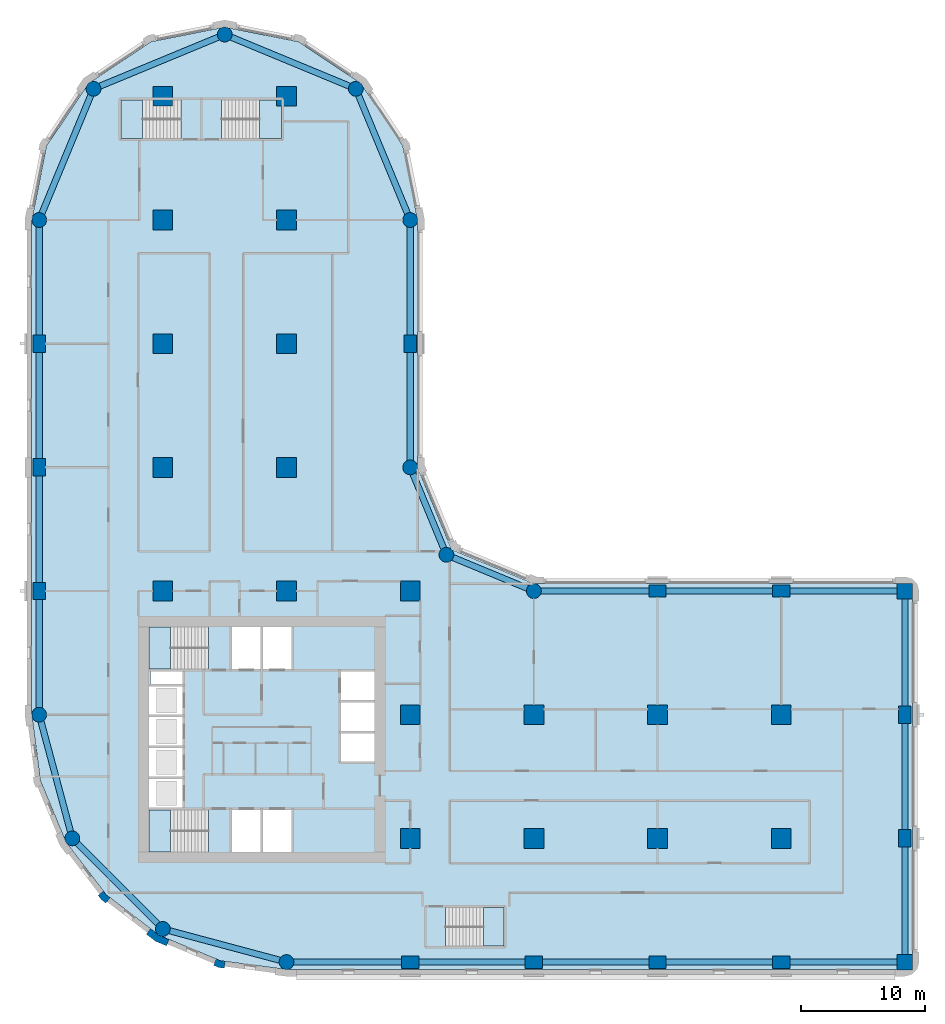
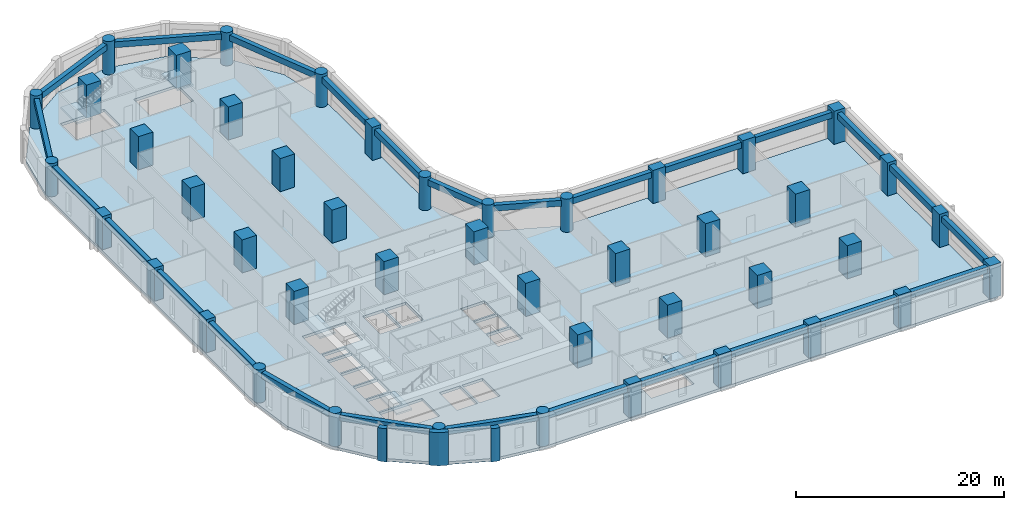
# One storey, part 1 of 10: 45 columns, 26 beams, 6 slabs, 3 walls, 5 elements without a shape of their own.
"""IFC4 building model written with IfcOpenShell, lengths in metres."""

from ifc_helpers import new_model, si_unit, direction, frame, origin, origin_2d, place, context, subcontext, project, spatial, polyline, rectangle, circle, outline, extrude, material, layer, layer_set, material_profile, profile_set, type_object, element, aggregate, save


model = new_model("IFC4")

# Units and contexts
model_context = context("Model", 3, precision=1e-05, world=origin(), true_north=direction((0.0, 1.0)))
body_context = subcontext(model_context, "Body", "Model", "MODEL_VIEW")
ifc_project = project(units=[si_unit("LENGTHUNIT", "METRE"), si_unit("AREAUNIT", "SQUARE_METRE"), si_unit("VOLUMEUNIT", "CUBIC_METRE"), si_unit("PLANEANGLEUNIT", "RADIAN"), si_unit("MASSUNIT", "GRAM", prefix="KILO")], contexts=[model_context])

# Site, building, storey
site_placement = place(None, origin())
site = spatial("IfcSite", under=ifc_project, at=site_placement, CompositionType="ELEMENT")
building_placement = place(site_placement, origin())
building = spatial("IfcBuilding", under=site, at=building_placement, Name="Qaws Garden Tower", CompositionType="ELEMENT")
storey_placement = place(building_placement, frame((0.0, 0.0, 70.5)))
storey = spatial("IfcBuildingStorey", under=building, at=storey_placement, Name="L17", CompositionType="ELEMENT", Elevation=70.5)

# Columns
ifc_material_1 = material(Name="Concrete C80", Category="concrete")
ifc_material_profile_1 = material_profile(ifc_material_1, rectangle(XDim=1.25, YDim=1.25, at=origin_2d()), Name="RC 1250x1250")
ifc_profile_set_1 = profile_set([ifc_material_profile_1], Name="Concrete C80")
column_type_1 = type_object("IfcColumnType", Name="Column RC 1250x1250 C80", PredefinedType="COLUMN", material=ifc_profile_set_1)
for number, where, z_axis, x_axis, name in (
    (1, (70.0, 0.0, 0.0), (0.0, 0.0, 1.0), (1.0, 0.0, 0.0), "Column L17-006"),
    (2, (70.0, 30.0, 0.0), (0.0, 0.0, 1.0), (1.0, 0.0, 0.0), "Column L17-009"),
):
    element("IfcColumn", number, at=place(storey_placement, frame(where, z_axis=z_axis, x_axis=x_axis)), inside=storey, type_object=column_type_1, Name=name, PredefinedType="COLUMN", context=body_context, shape_type="SweptSolid", body=[
        extrude(rectangle(XDim=1.25, YDim=1.25, at=origin_2d()), origin(), (0.0, 0.0, 1.0), 3.89990234375),
    ])
ifc_material_2 = material(Name="Concrete C80", Category="concrete")
ifc_material_profile_2 = material_profile(ifc_material_2, rectangle(XDim=1.39990234375, YDim=1.0, at=origin_2d()), Name="RC 1400x1000")
ifc_profile_set_2 = profile_set([ifc_material_profile_2], Name="Concrete C80")
column_type_2 = type_object("IfcColumnType", Name="Column RC 1400x1000 C80", PredefinedType="COLUMN", material=ifc_profile_set_2)
for number, where, z_axis, x_axis, name in (
    (3, (30.0, 0.0, 0.0), (0.0, 0.0, 1.0), (1.0, 0.0, 0.0), "Column L17-002"),
    (4, (40.0, 0.0, 0.0), (0.0, 0.0, 1.0), (1.0, 0.0, 0.0), "Column L17-003"),
    (5, (50.0, 0.0, 0.0), (0.0, 0.0, 1.0), (1.0, 0.0, 0.0), "Column L17-004"),
    (6, (60.0, 0.0, 0.0), (0.0, 0.0, 1.0), (1.0, 0.0, 0.0), "Column L17-005"),
    (7, (70.0, 10.0, 0.0), (0.0, 0.0, 1.0), (0.0, 1.0, 0.0), "Column L17-007"),
    (8, (70.0, 20.0, 0.0), (0.0, 0.0, 1.0), (0.0, 1.0, 0.0), "Column L17-008"),
    (9, (60.0, 30.0, 0.0), (0.0, 0.0, 1.0), (1.0, 0.0, 0.0), "Column L17-010"),
    (10, (50.0, 30.0, 0.0), (0.0, 0.0, 1.0), (1.0, 0.0, 0.0), "Column L17-011"),
    (11, (30.0, 50.0, 0.0), (0.0, 0.0, 1.0), (0.0, 1.0, 0.0), "Column L17-015"),
    (12, (0.0, 50.0, 0.0), (0.0, 0.0, 1.0), (0.0, 1.0, 0.0), "Column L17-021"),
    (13, (0.0, 40.0, 0.0), (0.0, 0.0, 1.0), (0.0, 1.0, 0.0), "Column L17-022"),
    (14, (0.0, 30.0, 0.0), (0.0, 0.0, 1.0), (0.0, 1.0, 0.0), "Column L17-023"),
):
    element("IfcColumn", number, at=place(storey_placement, frame(where, z_axis=z_axis, x_axis=x_axis)), inside=storey, type_object=column_type_2, Name=name, PredefinedType="COLUMN", context=body_context, shape_type="SweptSolid", body=[
        extrude(rectangle(XDim=1.39990234375, YDim=1.0, at=origin_2d()), origin(), (0.0, 0.0, 1.0), 3.89990234375),
    ])
ifc_material_3 = material(Name="Concrete C80", Category="concrete")
ifc_material_profile_3 = material_profile(ifc_material_3, rectangle(XDim=1.60009765625, YDim=1.60009765625, at=origin_2d()), Name="RC 1600x1600")
ifc_profile_set_3 = profile_set([ifc_material_profile_3], Name="Concrete C80")
column_type_3 = type_object("IfcColumnType", Name="Column RC 1600x1600 C80", PredefinedType="COLUMN", material=ifc_profile_set_3)
for number, where, z_axis, x_axis, name in (
    (15, (10.0, 30.0, 0.0), (0.0, 0.0, 1.0), (1.0, 0.0, 0.0), "Column L17-027"),
    (16, (10.0, 40.0, 0.0), (0.0, 0.0, 1.0), (1.0, 0.0, 0.0), "Column L17-028"),
    (17, (10.0, 50.0, 0.0), (0.0, 0.0, 1.0), (1.0, 0.0, 0.0), "Column L17-029"),
    (18, (10.0, 60.0, 0.0), (0.0, 0.0, 1.0), (1.0, 0.0, 0.0), "Column L17-030"),
    (19, (10.0, 70.0, 0.0), (0.0, 0.0, 1.0), (1.0, 0.0, 0.0), "Column L17-031"),
    (20, (20.0, 30.0, 0.0), (0.0, 0.0, 1.0), (1.0, 0.0, 0.0), "Column L17-032"),
    (21, (20.0, 40.0, 0.0), (0.0, 0.0, 1.0), (1.0, 0.0, 0.0), "Column L17-033"),
    (22, (20.0, 50.0, 0.0), (0.0, 0.0, 1.0), (1.0, 0.0, 0.0), "Column L17-034"),
    (23, (20.0, 60.0, 0.0), (0.0, 0.0, 1.0), (1.0, 0.0, 0.0), "Column L17-035"),
    (24, (20.0, 70.0, 0.0), (0.0, 0.0, 1.0), (1.0, 0.0, 0.0), "Column L17-036"),
    (25, (30.0, 10.0, 0.0), (0.0, 0.0, 1.0), (1.0, 0.0, 0.0), "Column L17-037"),
    (26, (30.0, 20.0, 0.0), (0.0, 0.0, 1.0), (1.0, 0.0, 0.0), "Column L17-038"),
    (27, (30.0, 30.0, 0.0), (0.0, 0.0, 1.0), (1.0, 0.0, 0.0), "Column L17-039"),
    (28, (40.0, 10.0, 0.0), (0.0, 0.0, 1.0), (1.0, 0.0, 0.0), "Column L17-040"),
    (29, (40.0, 20.0, 0.0), (0.0, 0.0, 1.0), (1.0, 0.0, 0.0), "Column L17-041"),
    (30, (50.0, 10.0, 0.0), (0.0, 0.0, 1.0), (1.0, 0.0, 0.0), "Column L17-042"),
    (31, (50.0, 20.0, 0.0), (0.0, 0.0, 1.0), (1.0, 0.0, 0.0), "Column L17-043"),
    (32, (60.0, 10.0, 0.0), (0.0, 0.0, 1.0), (1.0, 0.0, 0.0), "Column L17-044"),
    (33, (60.0, 20.0, 0.0), (0.0, 0.0, 1.0), (1.0, 0.0, 0.0), "Column L17-045"),
):
    element("IfcColumn", number, at=place(storey_placement, frame(where, z_axis=z_axis, x_axis=x_axis)), inside=storey, type_object=column_type_3, Name=name, PredefinedType="COLUMN", context=body_context, shape_type="SweptSolid", body=[
        extrude(rectangle(XDim=1.60009765625, YDim=1.60009765625, at=origin_2d()), origin(), (0.0, 0.0, 1.0), 3.89990234375),
    ])
ifc_material_4 = material(Name="Concrete C80", Category="concrete")
ifc_material_profile_4 = material_profile(ifc_material_4, circle(Radius=0.60009765625, at=origin_2d()), Name="RC D1200")
ifc_profile_set_4 = profile_set([ifc_material_profile_4], Name="Concrete C80")
column_type_4 = type_object("IfcColumnType", Name="Column RC D1200 C80", PredefinedType="COLUMN", material=ifc_profile_set_4)
for number, where, z_axis, x_axis, name in (
    (34, (20.0, 0.0, 0.0), (0.0, 0.0, 1.0), (1.0, 0.0, 0.0), "Column L17-001"),
    (35, (40.0, 30.0, 0.0), (0.0, 0.0, 1.0), (1.0, 0.0, 0.0), "Column L17-012"),
    (36, (32.928955078125, 32.928955078125, 0.0), (0.0, 0.0, 1.0), (1.0, 0.0, 0.0), "Column L17-013"),
    (37, (30.0, 40.0, 0.0), (0.0, 0.0, 1.0), (1.0, 0.0, 0.0), "Column L17-014"),
    (38, (30.0, 60.0, 0.0), (0.0, 0.0, 1.0), (1.0, 0.0, 0.0), "Column L17-016"),
    (39, (25.606689453125, 70.606689453125, 0.0), (0.0, 0.0, 1.0), (1.0, 0.0, 0.0), "Column L17-017"),
    (40, (15.0, 75.0, 0.0), (0.0, 0.0, 1.0), (1.0, 0.0, 0.0), "Column L17-018"),
    (41, (4.393310546875, 70.606689453125, 0.0), (0.0, 0.0, 1.0), (1.0, 0.0, 0.0), "Column L17-019"),
    (42, (0.0, 60.0, 0.0), (0.0, 0.0, 1.0), (1.0, 0.0, 0.0), "Column L17-020"),
    (43, (0.0, 20.0, 0.0), (0.0, 0.0, 1.0), (1.0, 0.0, 0.0), "Column L17-024"),
    (44, (2.679443359375, 10.0, 0.0), (0.0, 0.0, 1.0), (1.0, 0.0, 0.0), "Column L17-025"),
    (45, (10.0, 2.679443359375, 0.0), (0.0, 0.0, 1.0), (1.0, 0.0, 0.0), "Column L17-026"),
):
    element("IfcColumn", number, at=place(storey_placement, frame(where, z_axis=z_axis, x_axis=x_axis)), inside=storey, type_object=column_type_4, Name=name, PredefinedType="COLUMN", context=body_context, shape_type="SweptSolid", body=[
        extrude(circle(Radius=0.60009765625, at=origin_2d()), origin(), (0.0, 0.0, 1.0), 3.89990234375),
    ])

# Beams
ifc_material_5 = material(Name="Concrete C45", Category="concrete")
ifc_material_profile_5 = material_profile(ifc_material_5, rectangle(XDim=0.5, YDim=0.699951171875, at=origin_2d()), Name="RC 500x700")
ifc_profile_set_5 = profile_set([ifc_material_profile_5], Name="Concrete C45")
beam_type = type_object("IfcBeamType", Name="Spandrel beam RC 500x700 C45", PredefinedType="SPANDREL", material=ifc_profile_set_5)
for number, where, z_axis, x_axis, name in (
    (46, (20.0, 0.0, 3.22998046875), (1.0, 0.0, 0.0), (0.0, 1.0, 0.0), "Spandrel beam L17-001"),
    (47, (30.0, 0.0, 3.22998046875), (1.0, 0.0, 0.0), (0.0, 1.0, 0.0), "Spandrel beam L17-002"),
    (48, (40.0, 0.0, 3.22998046875), (1.0, 0.0, 0.0), (0.0, 1.0, 0.0), "Spandrel beam L17-003"),
    (49, (50.0, 0.0, 3.22998046875), (1.0, 0.0, 0.0), (0.0, 1.0, 0.0), "Spandrel beam L17-004"),
    (50, (60.0, 0.0, 3.22998046875), (1.0, 0.0, 0.0), (0.0, 1.0, 0.0), "Spandrel beam L17-005"),
    (51, (70.0, 0.0, 3.22998046875), (0.0, 1.0, 0.0), (-1.0, 0.0, 0.0), "Spandrel beam L17-006"),
    (52, (70.0, 10.0, 3.22998046875), (0.0, 1.0, 0.0), (-1.0, 0.0, 0.0), "Spandrel beam L17-007"),
    (53, (70.0, 20.0, 3.22998046875), (0.0, 1.0, 0.0), (-1.0, 0.0, 0.0), "Spandrel beam L17-008"),
    (54, (70.0, 30.0, 3.22998046875), (-1.0, 0.0, 0.0), (0.0, -1.0, 0.0), "Spandrel beam L17-009"),
    (55, (60.0, 30.0, 3.22998046875), (-1.0, 0.0, 0.0), (0.0, -1.0, 0.0), "Spandrel beam L17-010"),
    (56, (50.0, 30.0, 3.22998046875), (-1.0, 0.0, 0.0), (0.0, -1.0, 0.0), "Spandrel beam L17-011"),
):
    element("IfcBeam", number, at=place(storey_placement, frame(where, z_axis=z_axis, x_axis=x_axis)), inside=storey, type_object=beam_type, Name=name, PredefinedType="SPANDREL", context=body_context, shape_type="SweptSolid", body=[
        extrude(rectangle(XDim=0.5, YDim=0.699951171875, at=origin_2d()), origin(), (0.0, 0.0, 1.0), 10.0),
    ])
for number, where, z_axis, x_axis, name in (
    (57, (40.0, 30.0, 3.22998046875), (-0.923878037141, 0.382687042488, 0.0), (-0.382687042488, -0.923878037141, 0.0), "Spandrel beam L17-012"),
    (58, (32.928955078125, 32.928955078125, 3.22998046875), (-0.382687042488, 0.923878037141, 0.0), (-0.923878037141, -0.382687042488, 0.0), "Spandrel beam L17-013"),
):
    element("IfcBeam", number, at=place(storey_placement, frame(where, z_axis=z_axis, x_axis=x_axis)), inside=storey, type_object=beam_type, Name=name, PredefinedType="SPANDREL", context=body_context, shape_type="SweptSolid", body=[
        extrude(rectangle(XDim=0.5, YDim=0.699951171875, at=origin_2d()), origin(), (0.0, 0.0, 1.0), 7.653564453125),
    ])
for number, where, z_axis, x_axis, name in (
    (59, (30.0, 40.0, 3.22998046875), (0.0, 1.0, 0.0), (-1.0, 0.0, 0.0), "Spandrel beam L17-014"),
    (60, (30.0, 50.0, 3.22998046875), (0.0, 1.0, 0.0), (-1.0, 0.0, 0.0), "Spandrel beam L17-015"),
):
    element("IfcBeam", number, at=place(storey_placement, frame(where, z_axis=z_axis, x_axis=x_axis)), inside=storey, type_object=beam_type, Name=name, PredefinedType="SPANDREL", context=body_context, shape_type="SweptSolid", body=[
        extrude(rectangle(XDim=0.5, YDim=0.699951171875, at=origin_2d()), origin(), (0.0, 0.0, 1.0), 10.0),
    ])
for number, where, z_axis, x_axis, name in (
    (61, (30.0, 60.0, 3.22998046875), (-0.382674207535, 0.923883353507, 0.0), (-0.923883353507, -0.382674207535, 0.0), "Spandrel beam L17-016"),
    (62, (25.606689453125, 70.606689453125, 3.22998046875), (-0.923883353507, 0.382674207535, 0.0), (-0.382674207535, -0.923883353507, 0.0), "Spandrel beam L17-017"),
    (63, (15.0, 75.0, 3.22998046875), (-0.923883353507, -0.382674207535, 0.0), (0.382674207535, -0.923883353507, 0.0), "Spandrel beam L17-018"),
    (64, (4.393310546875, 70.606689453125, 3.22998046875), (-0.382674207535, -0.923883353507, 0.0), (0.923883353507, -0.382674207535, 0.0), "Spandrel beam L17-019"),
):
    element("IfcBeam", number, at=place(storey_placement, frame(where, z_axis=z_axis, x_axis=x_axis)), inside=storey, type_object=beam_type, Name=name, PredefinedType="SPANDREL", context=body_context, shape_type="SweptSolid", body=[
        extrude(rectangle(XDim=0.5, YDim=0.699951171875, at=origin_2d()), origin(), (0.0, 0.0, 1.0), 11.48046875),
    ])
for number, where, z_axis, x_axis, name in (
    (65, (0.0, 60.0, 3.22998046875), (0.0, -1.0, 0.0), (1.0, 0.0, 0.0), "Spandrel beam L17-020"),
    (66, (0.0, 50.0, 3.22998046875), (0.0, -1.0, 0.0), (1.0, 0.0, 0.0), "Spandrel beam L17-021"),
    (67, (0.0, 40.0, 3.22998046875), (0.0, -1.0, 0.0), (1.0, 0.0, 0.0), "Spandrel beam L17-022"),
    (68, (0.0, 30.0, 3.22998046875), (0.0, -1.0, 0.0), (1.0, 0.0, 0.0), "Spandrel beam L17-023"),
):
    element("IfcBeam", number, at=place(storey_placement, frame(where, z_axis=z_axis, x_axis=x_axis)), inside=storey, type_object=beam_type, Name=name, PredefinedType="SPANDREL", context=body_context, shape_type="SweptSolid", body=[
        extrude(rectangle(XDim=0.5, YDim=0.699951171875, at=origin_2d()), origin(), (0.0, 0.0, 1.0), 10.0),
    ])
for number, where, z_axis, x_axis, name in (
    (69, (0.0, 20.0, 3.22998046875), (0.25881466832, -0.965926999034, 0.0), (0.965926999034, 0.25881466832, 0.0), "Spandrel beam L17-024"),
    (70, (2.679443359375, 10.0, 3.22998046875), (0.707106781187, -0.707106781187, 0.0), (0.707106781187, 0.707106781187, 0.0), "Spandrel beam L17-025"),
    (71, (10.0, 2.679443359375, 3.22998046875), (0.965926999034, -0.25881466832, 0.0), (0.25881466832, 0.965926999034, 0.0), "Spandrel beam L17-026"),
):
    element("IfcBeam", number, at=place(storey_placement, frame(where, z_axis=z_axis, x_axis=x_axis)), inside=storey, type_object=beam_type, Name=name, PredefinedType="SPANDREL", context=body_context, shape_type="SweptSolid", body=[
        extrude(rectangle(XDim=0.5, YDim=0.699951171875, at=origin_2d()), origin(), (0.0, 0.0, 1.0), 10.352783203125),
    ])

# Slab
ifc_material_6 = material(Name="Concrete C40", Category="concrete")
ifc_layer_1 = layer(ifc_material_6, 0.320068359375)
ifc_layer_set_1 = layer_set([ifc_layer_1], Name="Concrete C40")
slab_type_1 = type_object("IfcSlabType", Name="Floor slab 320 C40", PredefinedType="FLOOR", material=ifc_layer_set_1)
slab_1_placement = place(storey_placement, frame((0.0, 0.0, -0.320068359375)))
element("IfcSlab", 72, at=slab_1_placement, inside=storey, type_object=slab_type_1, Name="Floor slab L17", PredefinedType="FLOOR", context=body_context, shape_type="SweptSolid", body=[
    extrude(outline(polyline([(0.101806640625, 14.668212890625), (-0.60009765625, 20.0), (-0.60009765625, 30.60009765625), (-0.60009765625, 60.0), (-0.60009765625, 60.0), (0.58740234375, 65.969970703125), (3.968994140625, 71.031005859375), (9.030029296875, 74.41259765625), (15.0, 75.60009765625), (20.969970703125, 74.41259765625), (26.031005859375, 71.031005859375), (29.41259765625, 65.969970703125), (30.60009765625, 60.0), (30.60009765625, 40.0), (33.353271484375, 33.353271484375), (40.0, 30.60009765625), (70.0, 30.60009765625), (70.42431640625, 30.42431640625), (70.60009765625, 30.0), (70.60009765625, 0.0), (70.42431640625, -0.42431640625), (70.0, -0.60009765625), (30.60009765625, -0.60009765625), (20.0, -0.60009765625), (14.668212890625, 0.101806640625), (9.699951171875, 2.159912109375), (5.43359375, 5.43359375), (2.159912109375, 9.699951171875), (0.101806640625, 14.668212890625)]), holes=[polyline([(13.699462890625, 12.300048828125), (8.89990234375, 12.300048828125), (8.89990234375, 8.89990234375), (13.699462890625, 8.89990234375), (13.699462890625, 12.300048828125)]), polyline([(17.89990234375, 12.300048828125), (15.60009765625, 12.300048828125), (15.60009765625, 8.89990234375), (17.89990234375, 8.89990234375), (17.89990234375, 12.300048828125)]), polyline([(11.60009765625, 14.800048828125), (8.89990234375, 14.800048828125), (8.89990234375, 12.5), (11.60009765625, 12.5), (11.60009765625, 14.800048828125)]), polyline([(11.60009765625, 17.300048828125), (8.89990234375, 17.300048828125), (8.89990234375, 15.0), (11.60009765625, 15.0), (11.60009765625, 17.300048828125)]), polyline([(11.60009765625, 19.800048828125), (8.89990234375, 19.800048828125), (8.89990234375, 17.5), (11.60009765625, 17.5), (11.60009765625, 19.800048828125)]), polyline([(11.60009765625, 22.300048828125), (8.89990234375, 22.300048828125), (8.89990234375, 20.0), (11.60009765625, 20.0), (11.60009765625, 22.300048828125)]), polyline([(11.60009765625, 23.5), (9.0, 23.5), (9.0, 22.5), (11.60009765625, 22.5), (11.60009765625, 23.5)]), polyline([(13.699462890625, 27.10009765625), (8.89990234375, 27.10009765625), (8.89990234375, 23.699951171875), (13.699462890625, 23.699951171875), (13.699462890625, 27.10009765625)]), polyline([(11.449462890625, 69.699951171875), (6.60009765625, 69.699951171875), (6.60009765625, 66.60009765625), (11.449462890625, 66.60009765625), (11.449462890625, 69.699951171875)]), polyline([(37.60009765625, 4.39990234375), (32.8505859375, 4.39990234375), (32.8505859375, 1.300048828125), (37.60009765625, 1.300048828125), (37.60009765625, 4.39990234375)]), polyline([(20.39990234375, 12.300048828125), (18.10009765625, 12.300048828125), (18.10009765625, 8.89990234375), (20.39990234375, 8.89990234375), (20.39990234375, 12.300048828125)]), polyline([(27.10009765625, 18.5), (24.39990234375, 18.5), (24.39990234375, 16.199951171875), (27.10009765625, 16.199951171875), (27.10009765625, 18.5)]), polyline([(27.10009765625, 21.0), (24.39990234375, 21.0), (24.39990234375, 18.699951171875), (27.10009765625, 18.699951171875), (27.10009765625, 21.0)]), polyline([(27.10009765625, 23.5), (24.39990234375, 23.5), (24.39990234375, 21.199951171875), (27.10009765625, 21.199951171875), (27.10009765625, 23.5)]), polyline([(17.89990234375, 27.10009765625), (15.60009765625, 27.10009765625), (15.60009765625, 23.699951171875), (17.89990234375, 23.699951171875), (17.89990234375, 27.10009765625)]), polyline([(20.39990234375, 23.699951171875), (20.39990234375, 27.10009765625), (18.10009765625, 27.10009765625), (18.10009765625, 23.699951171875), (20.39990234375, 23.699951171875)]), polyline([(19.60009765625, 66.60009765625), (19.60009765625, 69.699951171875), (14.75048828125, 69.699951171875), (14.75048828125, 66.60009765625), (19.60009765625, 66.60009765625)])]), origin(), (0.0, 0.0, 1.0), 0.320068359375),
])

# Stair, slab
ifc_material_7 = material(Name="Concrete C40", Category="concrete")
stair_type_1 = type_object("IfcStairType", Name="Exit stair 1500", PredefinedType="HALF_TURN_STAIR", material=ifc_material_7)
placement_1 = place(storey_placement, origin())
stair_1 = element("IfcStair", 73, at=placement_1, inside=storey, type_object=stair_type_1, Name="Stair 1", PredefinedType="HALF_TURN_STAIR")
ifc_material_8 = material(Name="Concrete C40", Category="concrete")
ifc_layer_2 = layer(ifc_material_8, 0.199951171875)
ifc_layer_set_2 = layer_set([ifc_layer_2], Name="Concrete C40")
slab_type_2 = type_object("IfcSlabType", Name="Stair landing 200", PredefinedType="LANDING", material=ifc_layer_set_2)
placement_2 = place(storey_placement, frame((0.0, 0.0, 1.75)))
slab_2 = element("IfcSlab", 74, at=placement_2, type_object=slab_type_2, Name="ST1 landing 1", PredefinedType="LANDING", context=body_context, shape_type="SweptSolid", body=[
    extrude(outline(polyline([(8.89990234375, 8.89990234375), (10.6201171875, 8.89990234375), (10.6201171875, 12.300048828125), (8.89990234375, 12.300048828125), (8.89990234375, 8.89990234375)])), origin(), (0.0, 0.0, 1.0), 0.199951171875),
])
aggregate(stair_1, [slab_2])

stair_2 = element("IfcStair", 75, at=placement_1, inside=storey, type_object=stair_type_1, Name="Stair 4", PredefinedType="HALF_TURN_STAIR")
slab_3 = element("IfcSlab", 76, at=placement_2, type_object=slab_type_2, Name="ST4 landing 1", PredefinedType="LANDING", context=body_context, shape_type="SweptSolid", body=[
    extrude(outline(polyline([(8.89990234375, 23.699951171875), (10.6201171875, 23.699951171875), (10.6201171875, 27.10009765625), (8.89990234375, 27.10009765625), (8.89990234375, 23.699951171875)])), origin(), (0.0, 0.0, 1.0), 0.199951171875),
])
aggregate(stair_2, [slab_3])

ifc_material_9 = material(Name="Concrete C40", Category="concrete")
stair_type_2 = type_object("IfcStairType", Name="Exit stair 1350", PredefinedType="HALF_TURN_STAIR", material=ifc_material_9)
stair_3 = element("IfcStair", 77, at=placement_1, inside=storey, type_object=stair_type_2, Name="Stair 5", PredefinedType="HALF_TURN_STAIR")
slab_4 = element("IfcSlab", 78, at=placement_2, type_object=slab_type_2, Name="ST5 landing 1", PredefinedType="LANDING", context=body_context, shape_type="SweptSolid", body=[
    extrude(outline(polyline([(35.929931640625, 1.300048828125), (37.60009765625, 1.300048828125), (37.60009765625, 4.39990234375), (35.929931640625, 4.39990234375), (35.929931640625, 1.300048828125)])), origin(), (0.0, 0.0, 1.0), 0.199951171875),
])
aggregate(stair_3, [slab_4])

stair_4 = element("IfcStair", 79, at=placement_1, inside=storey, type_object=stair_type_2, Name="Stair 6", PredefinedType="HALF_TURN_STAIR")
slab_5 = element("IfcSlab", 80, at=placement_2, type_object=slab_type_2, Name="ST6 landing 1", PredefinedType="LANDING", context=body_context, shape_type="SweptSolid", body=[
    extrude(outline(polyline([(6.60009765625, 66.60009765625), (8.3701171875, 66.60009765625), (8.3701171875, 69.699951171875), (6.60009765625, 69.699951171875), (6.60009765625, 66.60009765625)])), origin(), (0.0, 0.0, 1.0), 0.199951171875),
])
aggregate(stair_4, [slab_5])

stair_5 = element("IfcStair", 81, at=placement_1, inside=storey, type_object=stair_type_2, Name="Stair 7", PredefinedType="HALF_TURN_STAIR")
slab_6 = element("IfcSlab", 82, at=placement_2, type_object=slab_type_2, Name="ST7 landing 1", PredefinedType="LANDING", context=body_context, shape_type="SweptSolid", body=[
    extrude(outline(polyline([(17.830078125, 66.60009765625), (19.60009765625, 66.60009765625), (19.60009765625, 69.699951171875), (17.830078125, 69.699951171875), (17.830078125, 66.60009765625)])), origin(), (0.0, 0.0, 1.0), 0.199951171875),
])
aggregate(stair_5, [slab_6])

# Walls
ifc_material_10 = material(Name="Clay facing brick masonry", Category="masonry")
ifc_layer_3 = layer(ifc_material_10, 0.550048828125)
ifc_layer_set_3 = layer_set([ifc_layer_3], Name="Clay facing brick masonry")
wall_type_1 = type_object("IfcWallType", Name="Brick kink pier 550 x 600", PredefinedType="SOLIDWALL", material=ifc_layer_set_3)
element("IfcWall", 83, at=placement_1, inside=storey, type_object=wall_type_1, Name="E-L17-pier-30", PredefinedType="SOLIDWALL", context=body_context, shape_type="SweptSolid", body=[
    extrude(outline(polyline([(4.8818359375, 5.487060546875), (4.762939453125, 5.395751953125), (5.03759765625, 5.03759765625), (5.395751953125, 4.762939453125), (5.487060546875, 4.8818359375), (5.730712890625, 5.19921875), (5.429931640625, 5.429931640625), (5.19921875, 5.730712890625), (4.8818359375, 5.487060546875)])), origin(), (0.0, 0.0, 1.0), 3.89990234375),
])
element("IfcWall", 84, at=placement_1, inside=storey, type_object=wall_type_1, Name="E-L17-pier-32", PredefinedType="SOLIDWALL", context=body_context, shape_type="SweptSolid", body=[
    extrude(outline(polyline([(14.163818359375, -0.127685546875), (14.1064453125, -0.26611328125), (14.5234375, -0.43896484375), (14.970947265625, -0.497802734375), (14.990478515625, -0.34912109375), (15.042724609375, 0.04736328125), (14.6669921875, 0.096923828125), (14.31689453125, 0.241943359375), (14.163818359375, -0.127685546875)])), origin(), (0.0, 0.0, 1.0), 3.89990234375),
])
ifc_material_11 = material(Name="Clay facing brick masonry", Category="masonry")
ifc_layer_4 = layer(ifc_material_11, 0.550048828125)
ifc_layer_set_4 = layer_set([ifc_layer_4], Name="Clay facing brick masonry")
wall_type_2 = type_object("IfcWallType", Name="Brick pier 550 x 1600", PredefinedType="SOLIDWALL", material=ifc_layer_set_4)
element("IfcWall", 85, at=placement_1, inside=storey, type_object=wall_type_2, Name="E-L17-pier-31", PredefinedType="SOLIDWALL", context=body_context, shape_type="SweptSolid", body=[
    extrude(outline(polyline([(8.756591796875, 2.373046875), (8.665283203125, 2.254150390625), (9.419921875, 1.675048828125), (10.299072265625, 1.310791015625), (10.3564453125, 1.449462890625), (10.509521484375, 1.819091796875), (9.697509765625, 2.1552734375), (9.0, 2.6904296875), (8.756591796875, 2.373046875)])), origin(), (0.0, 0.0, 1.0), 3.89990234375),
])

save(model, "model.ifc")
